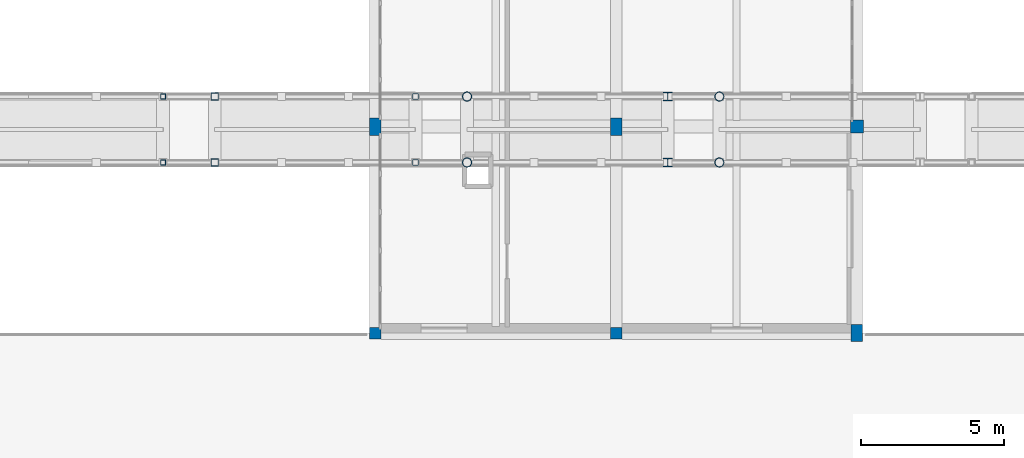
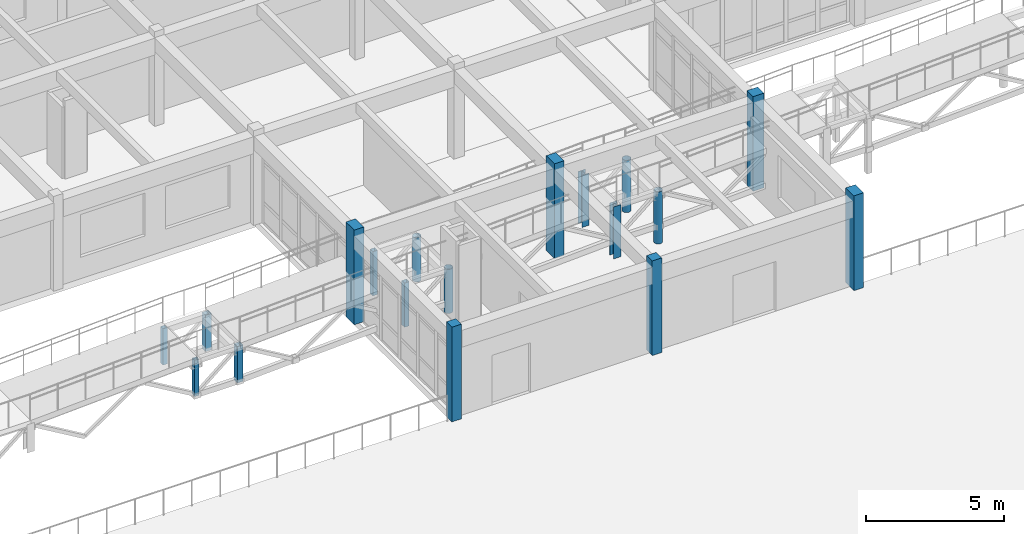
# One storey, part 3 of 90: 18 columns.
"""IFC4 building model written with IfcOpenShell, lengths in metres."""

from ifc_helpers import new_model, si_unit, direction, frame, origin, origin_2d, place, context, subcontext, project, spatial, rectangle, hollow_rectangle, hollow_circle, i_section, extrude, material, material_profile, profile_set, type_object, element, save


model = new_model("IFC4")

# Units and contexts
model_context = context("Model", 3, precision=1e-05, world=origin(), true_north=direction((0.0, 1.0)))
body_context = subcontext(model_context, "Body", "Model", "MODEL_VIEW")
ifc_project = project(units=[si_unit("LENGTHUNIT", "METRE"), si_unit("AREAUNIT", "SQUARE_METRE"), si_unit("VOLUMEUNIT", "CUBIC_METRE"), si_unit("PLANEANGLEUNIT", "RADIAN"), si_unit("MASSUNIT", "GRAM", prefix="KILO")], contexts=[model_context])

# Site, building, storey
site_placement = place(None, origin())
site = spatial("IfcSite", under=ifc_project, at=site_placement, CompositionType="ELEMENT")
building_placement = place(site_placement, origin())
building = spatial("IfcBuilding", under=site, at=building_placement, Name="Malvenik Polytechnic", CompositionType="ELEMENT")
storey_placement = place(building_placement, frame((0.0, 0.0, 9.300048828125)))
storey = spatial("IfcBuildingStorey", under=building, at=storey_placement, Name="L02", CompositionType="ELEMENT", Elevation=9.300048828125)

# Columns
ifc_material_1 = material(Name="Concrete C35/45", Category="concrete")
ifc_material_profile_1 = material_profile(ifc_material_1, rectangle(XDim=0.449951171875, YDim=0.449951171875, at=origin_2d()), Name="RC COL 450x450")
ifc_profile_set_1 = profile_set([ifc_material_profile_1], Name="Concrete C35/45")
column_type_1 = type_object("IfcColumnType", Name="STR-COL-C-09", PredefinedType="COLUMN", material=ifc_profile_set_1)
column_placement = place(storey_placement, frame((92.39990234375, 43.199951171875, 0.0), z_axis=(0.0, 0.0, 1.0), x_axis=(1.0, 0.0, 0.0)))
element("IfcColumn", 1, at=column_placement, inside=storey, type_object=column_type_1, Name="Column C-09 L02 (92.4,43.2)", PredefinedType="COLUMN", context=body_context, shape_type="SweptSolid", body=[
    extrude(rectangle(XDim=0.449951171875, YDim=0.449951171875, at=origin_2d()), origin(), (0.0, 0.0, 1.0), 4.199951171875),
])
ifc_material_2 = material(Name="Concrete C30/37", Category="concrete")
ifc_material_profile_2 = material_profile(ifc_material_2, rectangle(XDim=0.39990234375, YDim=0.39990234375, at=origin_2d()), Name="RC COL 400x400")
ifc_profile_set_2 = profile_set([ifc_material_profile_2], Name="Concrete C30/37")
column_type_2 = type_object("IfcColumnType", Name="STR-COL-C-10", PredefinedType="COLUMN", material=ifc_profile_set_2)
for number, where, z_axis, x_axis, name in (
    (2, (75.60009765625, 36.0, 0.0), (0.0, 0.0, 1.0), (1.0, 0.0, 0.0), "Column C-10 L02 (75.6,36.0)"),
    (3, (84.0, 36.0, 0.0), (0.0, 0.0, 1.0), (1.0, 0.0, 0.0), "Column C-10 L02 (84.0,36.0)"),
):
    element("IfcColumn", number, at=place(storey_placement, frame(where, z_axis=z_axis, x_axis=x_axis)), inside=storey, type_object=column_type_2, Name=name, PredefinedType="COLUMN", context=body_context, shape_type="SweptSolid", body=[
        extrude(rectangle(XDim=0.39990234375, YDim=0.39990234375, at=origin_2d()), origin(), (0.0, 0.0, 1.0), 4.199951171875),
    ])
ifc_material_profile_3 = material_profile(ifc_material_1, rectangle(XDim=0.39990234375, YDim=0.60009765625, at=origin_2d()), Name="RC COL 600x400")
ifc_profile_set_3 = profile_set([ifc_material_profile_3], Name="Concrete C35/45")
column_type_3 = type_object("IfcColumnType", Name="STR-COL-C-15", PredefinedType="COLUMN", material=ifc_profile_set_3)
for number, where, z_axis, x_axis, name in (
    (4, (75.60009765625, 43.199951171875, 0.0), (0.0, 0.0, 1.0), (1.0, 0.0, 0.0), "Column C-15 L02 (75.6,43.2)"),
    (5, (84.0, 43.199951171875, 0.0), (0.0, 0.0, 1.0), (1.0, 0.0, 0.0), "Column C-15 L02 (84.0,43.2)"),
    (6, (92.39990234375, 36.0, 0.0), (0.0, 0.0, 1.0), (1.0, 0.0, 0.0), "Column C-15 L02 (92.4,36.0)"),
):
    element("IfcColumn", number, at=place(storey_placement, frame(where, z_axis=z_axis, x_axis=x_axis)), inside=storey, type_object=column_type_3, Name=name, PredefinedType="COLUMN", context=body_context, shape_type="SweptSolid", body=[
        extrude(rectangle(XDim=0.39990234375, YDim=0.60009765625, at=origin_2d()), origin(), (0.0, 0.0, 1.0), 4.199951171875),
    ])
ifc_material_3 = material(Name="Steel S355J2H", Category="steel")
ifc_material_profile_4 = material_profile(ifc_material_3, hollow_rectangle(XDim=0.25, YDim=0.25, WallThickness=0.010009765625, at=origin_2d()), Name="SHS 250x250x10.0")
ifc_profile_set_4 = profile_set([ifc_material_profile_4], Name="Steel S355J2H")
column_type_4 = type_object("IfcColumnType", Name="STR-SCOL-SC-01", PredefinedType="COLUMN", material=ifc_profile_set_4)
for number, where, z_axis, x_axis, name in (
    (7, (70.0, 41.949951171875, 0.0), (0.0, 0.0, 1.0), (1.0, 0.0, 0.0), "Bridge-Ramp Support Column SC-01 L02"),
    (8, (70.0, 44.25, 0.0), (0.0, 0.0, 1.0), (1.0, 0.0, 0.0), "Bridge-Ramp Support Column SC-01 L02"),
):
    element("IfcColumn", number, at=place(storey_placement, frame(where, z_axis=z_axis, x_axis=x_axis)), inside=storey, type_object=column_type_4, Name=name, PredefinedType="COLUMN", context=body_context, shape_type="SweptSolid", body=[
        extrude(hollow_rectangle(XDim=0.25, YDim=0.25, WallThickness=0.010009765625, at=origin_2d()), origin(), (0.0, 0.0, 1.0), 1.60986328125),
    ])
ifc_material_profile_5 = material_profile(ifc_material_3, hollow_rectangle(XDim=0.199951171875, YDim=0.199951171875, WallThickness=0.010009765625, at=origin_2d()), Name="SHS 200x200x10.0")
ifc_profile_set_5 = profile_set([ifc_material_profile_5], Name="Steel S355J2H")
column_type_5 = type_object("IfcColumnType", Name="STR-SCOL-SC-02", PredefinedType="COLUMN", material=ifc_profile_set_5)
for number, where, z_axis, x_axis, name in (
    (9, (77.0, 41.949951171875, 0.0), (0.0, 0.0, 1.0), (1.0, 0.0, 0.0), "Bridge-Ramp Support Column SC-02 L02"),
    (10, (77.0, 44.25, 0.0), (0.0, 0.0, 1.0), (1.0, 0.0, 0.0), "Bridge-Ramp Support Column SC-02 L02"),
):
    element("IfcColumn", number, at=place(storey_placement, frame(where, z_axis=z_axis, x_axis=x_axis)), inside=storey, type_object=column_type_5, Name=name, PredefinedType="COLUMN", context=body_context, shape_type="SweptSolid", body=[
        extrude(hollow_rectangle(XDim=0.199951171875, YDim=0.199951171875, WallThickness=0.010009765625, at=origin_2d()), origin(), (0.0, 0.0, 1.0), 1.9599609375),
    ])
ifc_material_profile_6 = material_profile(ifc_material_3, hollow_circle(Radius=0.161865234375, WallThickness=0.012451171875, at=origin_2d()), Name="CHS 323.9x12.5")
ifc_profile_set_6 = profile_set([ifc_material_profile_6], Name="Steel S355J2H")
column_type_6 = type_object("IfcColumnType", Name="STR-SCOL-SC-04", PredefinedType="COLUMN", material=ifc_profile_set_6)
for number, where, z_axis, x_axis, name in (
    (11, (78.800048828125, 41.949951171875, 0.0), (0.0, 0.0, 1.0), (1.0, 0.0, 0.0), "Bridge-Ramp Support Column SC-04 L02"),
    (12, (78.800048828125, 44.25, 0.0), (0.0, 0.0, 1.0), (1.0, 0.0, 0.0), "Bridge-Ramp Support Column SC-04 L02"),
):
    element("IfcColumn", number, at=place(storey_placement, frame(where, z_axis=z_axis, x_axis=x_axis)), inside=storey, type_object=column_type_6, Name=name, PredefinedType="COLUMN", context=body_context, shape_type="SweptSolid", body=[
        extrude(hollow_circle(Radius=0.161865234375, WallThickness=0.012451171875, at=origin_2d()), origin(), (0.0, 0.0, 1.0), 1.9599609375),
    ])
for number, where, z_axis, x_axis, name in (
    (13, (87.60009765625, 41.949951171875, 0.0), (0.0, 0.0, 1.0), (1.0, 0.0, 0.0), "Bridge-Ramp Support Column SC-04 L02"),
    (14, (87.60009765625, 44.25, 0.0), (0.0, 0.0, 1.0), (1.0, 0.0, 0.0), "Bridge-Ramp Support Column SC-04 L02"),
):
    element("IfcColumn", number, at=place(storey_placement, frame(where, z_axis=z_axis, x_axis=x_axis)), inside=storey, type_object=column_type_6, Name=name, PredefinedType="COLUMN", context=body_context, shape_type="SweptSolid", body=[
        extrude(hollow_circle(Radius=0.161865234375, WallThickness=0.012451171875, at=origin_2d()), origin(), (0.0, 0.0, 1.0), 2.31005859375),
    ])
ifc_material_4 = material(Name="Steel S355", Category="steel")
ifc_material_profile_7 = material_profile(ifc_material_4, i_section(OverallWidth=0.300048828125, OverallDepth=0.300048828125, WebThickness=0.010986328125, FlangeThickness=0.01904296875, FilletRadius=0.027099609375, at=origin_2d()), Name="HEB 300")
ifc_profile_set_7 = profile_set([ifc_material_profile_7], Name="Steel S355")
column_type_7 = type_object("IfcColumnType", Name="STR-SCOL-SC-05", PredefinedType="COLUMN", material=ifc_profile_set_7)
for number, where, z_axis, x_axis, name in (
    (15, (85.800048828125, 41.949951171875, 0.0), (0.0, 0.0, 1.0), (1.0, 0.0, 0.0), "Bridge-Ramp Support Column SC-05 L02"),
    (16, (85.800048828125, 44.25, 0.0), (0.0, 0.0, 1.0), (1.0, 0.0, 0.0), "Bridge-Ramp Support Column SC-05 L02"),
):
    element("IfcColumn", number, at=place(storey_placement, frame(where, z_axis=z_axis, x_axis=x_axis)), inside=storey, type_object=column_type_7, Name=name, PredefinedType="COLUMN", context=body_context, shape_type="SweptSolid", body=[
        extrude(i_section(OverallWidth=0.300048828125, OverallDepth=0.300048828125, WebThickness=0.010986328125, FlangeThickness=0.01904296875, FilletRadius=0.027099609375, at=origin_2d()), origin(), (0.0, 0.0, 1.0), 2.31005859375),
    ])
ifc_material_profile_8 = material_profile(ifc_material_3, hollow_rectangle(XDim=0.179931640625, YDim=0.179931640625, WallThickness=0.008056640625, at=origin_2d()), Name="SHS 180x180x8.0")
ifc_profile_set_8 = profile_set([ifc_material_profile_8], Name="Steel S355J2H")
column_type_8 = type_object("IfcColumnType", Name="STR-SCOL-SC-06", PredefinedType="COLUMN", material=ifc_profile_set_8)
for number, where, z_axis, x_axis, name in (
    (17, (68.199951171875, 41.949951171875, 0.0), (0.0, 0.0, 1.0), (1.0, 0.0, 0.0), "Bridge-Ramp Support Column SC-06 L02"),
    (18, (68.199951171875, 44.25, 0.0), (0.0, 0.0, 1.0), (1.0, 0.0, 0.0), "Bridge-Ramp Support Column SC-06 L02"),
):
    element("IfcColumn", number, at=place(storey_placement, frame(where, z_axis=z_axis, x_axis=x_axis)), inside=storey, type_object=column_type_8, Name=name, PredefinedType="COLUMN", context=body_context, shape_type="SweptSolid", body=[
        extrude(hollow_rectangle(XDim=0.179931640625, YDim=0.179931640625, WallThickness=0.008056640625, at=origin_2d()), origin(), (0.0, 0.0, 1.0), 1.60986328125),
    ])

save(model, "model.ifc")
